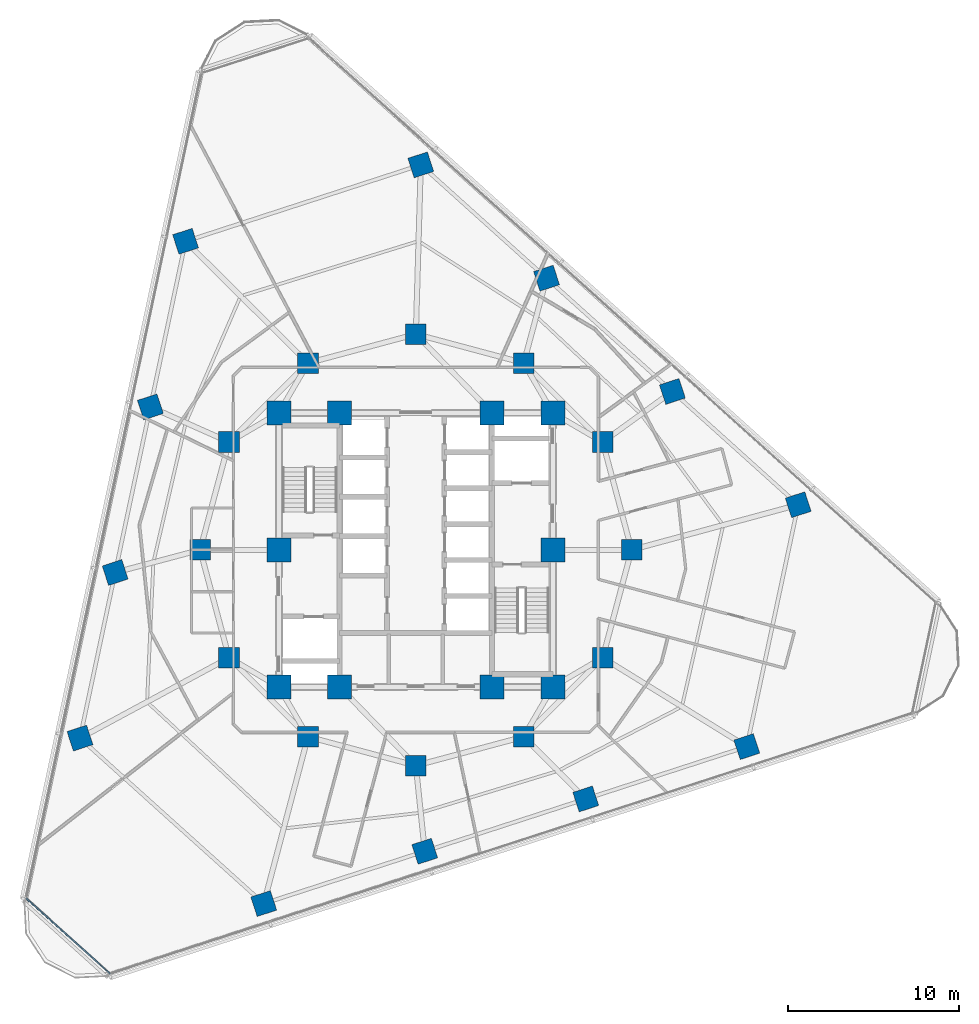
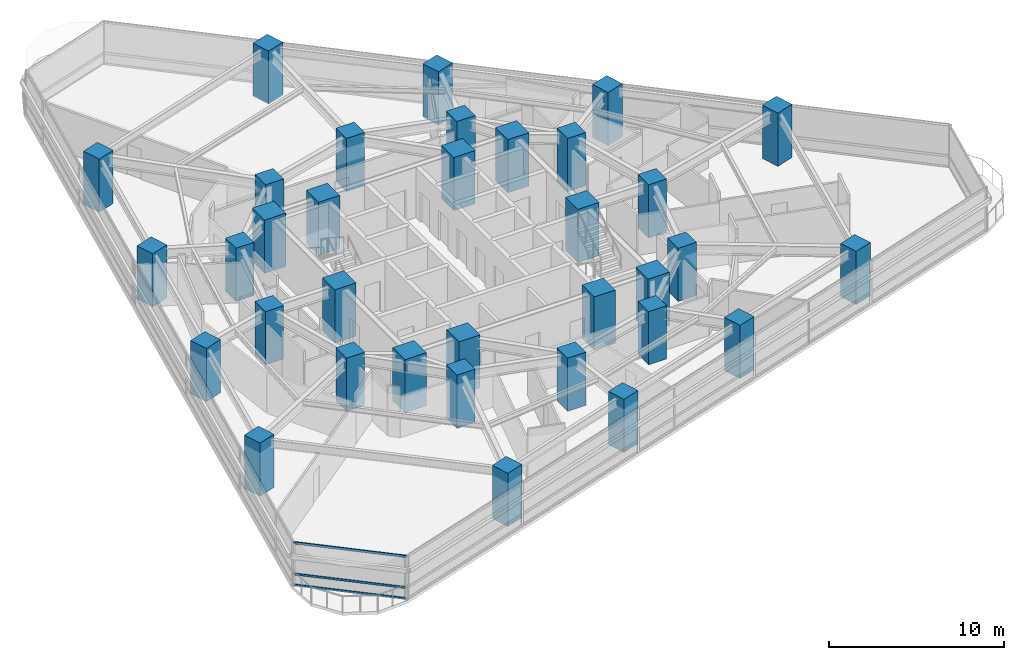
# One storey, part 1 of 13: 34 columns, 3 members, 1 element without a shape of its own.
"""IFC4 building model written with IfcOpenShell, lengths in metres."""

from ifc_helpers import new_model, si_unit, direction, frame, origin, origin_2d, place, context, subcontext, project, spatial, rectangle, extrude, material, layer, layer_set, material_profile, profile_set, type_object, element, aggregate, save


model = new_model("IFC4")

# Units and contexts
model_context = context("Model", 3, precision=1e-05, world=origin(), true_north=direction((0.0, 1.0)))
body_context = subcontext(model_context, "Body", "Model", "MODEL_VIEW")
ifc_project = project(units=[si_unit("LENGTHUNIT", "METRE"), si_unit("AREAUNIT", "SQUARE_METRE"), si_unit("VOLUMEUNIT", "CUBIC_METRE"), si_unit("PLANEANGLEUNIT", "RADIAN"), si_unit("MASSUNIT", "GRAM", prefix="KILO")], contexts=[model_context])

# Site, building, storey
site_placement = place(None, origin())
site = spatial("IfcSite", under=ifc_project, at=site_placement, CompositionType="ELEMENT")
building_placement = place(site_placement, origin())
building = spatial("IfcBuilding", under=site, at=building_placement, Name="Terralouvre Media Tower", CompositionType="ELEMENT")
storey_placement = place(building_placement, frame((0.0, 0.0, 108.800048828125)))
storey = spatial("IfcBuildingStorey", under=building, at=storey_placement, Name="L27", CompositionType="ELEMENT", Elevation=108.800048828125)

# Columns
ifc_material_1 = material(Name="Concrete C60/75", Category="concrete")
ifc_material_profile_1 = material_profile(ifc_material_1, rectangle(XDim=1.199951171875, YDim=1.199951171875, at=origin_2d()), Name="RC 1200x1200")
ifc_profile_set_1 = profile_set([ifc_material_profile_1], Name="Concrete C60/75")
column_type_1 = type_object("IfcColumnType", Name="Structural Column C-RC1200 (RC 1200x1200)", PredefinedType="COLUMN", material=ifc_profile_set_1)
for number, where, z_axis, x_axis, name in (
    (1, (12.60009765625, 0.0, 0.0), (0.0, 0.0, 1.0), (1.0, 0.0, 0.0), "L27 Mega-Frame Column MC01"),
    (2, (10.911865234375, 6.300048828125, 0.0), (0.0, 0.0, 1.0), (1.0, 0.0, 0.0), "L27 Mega-Frame Column MC02"),
    (3, (6.300048828125, 10.911865234375, 0.0), (0.0, 0.0, 1.0), (1.0, 0.0, 0.0), "L27 Mega-Frame Column MC03"),
    (4, (0.0, 12.60009765625, 0.0), (0.0, 0.0, 1.0), (1.0, 0.0, 0.0), "L27 Mega-Frame Column MC04"),
    (5, (-6.300048828125, 10.911865234375, 0.0), (0.0, 0.0, 1.0), (1.0, 0.0, 0.0), "L27 Mega-Frame Column MC05"),
    (6, (-10.911865234375, 6.300048828125, 0.0), (0.0, 0.0, 1.0), (1.0, 0.0, 0.0), "L27 Mega-Frame Column MC06"),
    (7, (-12.60009765625, 0.0, 0.0), (0.0, 0.0, 1.0), (1.0, 0.0, 0.0), "L27 Mega-Frame Column MC07"),
    (8, (-10.911865234375, -6.300048828125, 0.0), (0.0, 0.0, 1.0), (1.0, 0.0, 0.0), "L27 Mega-Frame Column MC08"),
    (9, (-6.300048828125, -10.911865234375, 0.0), (0.0, 0.0, 1.0), (1.0, 0.0, 0.0), "L27 Mega-Frame Column MC09"),
    (10, (0.0, -12.60009765625, 0.0), (0.0, 0.0, 1.0), (1.0, 0.0, 0.0), "L27 Mega-Frame Column MC10"),
    (11, (6.300048828125, -10.911865234375, 0.0), (0.0, 0.0, 1.0), (1.0, 0.0, 0.0), "L27 Mega-Frame Column MC11"),
    (12, (10.911865234375, -6.300048828125, 0.0), (0.0, 0.0, 1.0), (1.0, 0.0, 0.0), "L27 Mega-Frame Column MC12"),
    (13, (-8.883056640625, -20.658203125, 0.0), (0.0, 0.0, 1.0), (0.951056516295, 0.309016994375, 0.0), "L27 Perimeter Mega-Column PC11"),
    (14, (0.52099609375, -17.6025390625, 0.0), (0.0, 0.0, 1.0), (0.951056516295, 0.309016994375, 0.0), "L27 Perimeter Mega-Column PC12"),
    (15, (9.925048828125, -14.547119140625, 0.0), (0.0, 0.0, 1.0), (0.951056516295, 0.309016994375, 0.0), "L27 Perimeter Mega-Column PC13"),
    (16, (19.3291015625, -11.491455078125, 0.0), (0.0, 0.0, 1.0), (0.951056516295, 0.309016994375, 0.0), "L27 Perimeter Mega-Column PC14"),
    (17, (22.33203125, 2.63623046875, 0.0), (0.0, 0.0, 1.0), (0.951056516295, 0.309016994375, 0.0), "L27 Perimeter Mega-Column PC21"),
    (18, (14.98388671875, 9.25244140625, 0.0), (0.0, 0.0, 1.0), (0.951056516295, 0.309016994375, 0.0), "L27 Perimeter Mega-Column PC22"),
    (19, (7.635498046875, 15.868896484375, 0.0), (0.0, 0.0, 1.0), (0.951056516295, 0.309016994375, 0.0), "L27 Perimeter Mega-Column PC23"),
    (20, (0.287353515625, 22.4853515625, 0.0), (0.0, 0.0, 1.0), (0.951056516295, 0.309016994375, 0.0), "L27 Perimeter Mega-Column PC24"),
    (21, (-13.448974609375, 18.02197265625, 0.0), (0.0, 0.0, 1.0), (0.951056516295, 0.309016994375, 0.0), "L27 Perimeter Mega-Column PC31"),
    (22, (-15.5048828125, 8.35009765625, 0.0), (0.0, 0.0, 1.0), (0.951056516295, 0.309016994375, 0.0), "L27 Perimeter Mega-Column PC32"),
    (23, (-17.560791015625, -1.32177734375, 0.0), (0.0, 0.0, 1.0), (0.951056516295, 0.309016994375, 0.0), "L27 Perimeter Mega-Column PC33"),
    (24, (-19.616455078125, -10.99365234375, 0.0), (0.0, 0.0, 1.0), (0.951056516295, 0.309016994375, 0.0), "L27 Perimeter Mega-Column PC34"),
):
    element("IfcColumn", number, at=place(storey_placement, frame(where, z_axis=z_axis, x_axis=x_axis)), inside=storey, type_object=column_type_1, Name=name, PredefinedType="COLUMN", context=body_context, shape_type="SweptSolid", body=[
        extrude(rectangle(XDim=1.199951171875, YDim=1.199951171875, at=origin_2d()), origin(), (0.0, 0.0, 1.0), 3.699951171875),
    ])
ifc_material_2 = material(Name="Concrete C60/75", Category="concrete")
ifc_material_profile_2 = material_profile(ifc_material_2, rectangle(XDim=1.39990234375, YDim=1.39990234375, at=origin_2d()), Name="RC 1400x1400")
ifc_profile_set_2 = profile_set([ifc_material_profile_2], Name="Concrete C60/75")
column_type_2 = type_object("IfcColumnType", Name="Structural Column C-RC1400 (RC 1400x1400)", PredefinedType="COLUMN", material=ifc_profile_set_2)
for number, where, z_axis, x_axis, name in (
    (25, (-8.0, -8.0, 0.0), (0.0, 0.0, 1.0), (1.0, 0.0, 0.0), "L27 Core Pilaster Column CP1"),
    (26, (-4.449951171875, -8.0, 0.0), (0.0, 0.0, 1.0), (1.0, 0.0, 0.0), "L27 Core Pilaster Column CP2"),
    (27, (4.449951171875, -8.0, 0.0), (0.0, 0.0, 1.0), (1.0, 0.0, 0.0), "L27 Core Pilaster Column CP10"),
    (28, (8.0, -8.0, 0.0), (0.0, 0.0, 1.0), (1.0, 0.0, 0.0), "L27 Core Pilaster Column CP3"),
    (29, (8.0, 0.0, 0.0), (0.0, 0.0, 1.0), (1.0, 0.0, 0.0), "L27 Core Pilaster Column CP4"),
    (30, (8.0, 8.0, 0.0), (0.0, 0.0, 1.0), (1.0, 0.0, 0.0), "L27 Core Pilaster Column CP5"),
    (31, (4.449951171875, 8.0, 0.0), (0.0, 0.0, 1.0), (1.0, 0.0, 0.0), "L27 Core Pilaster Column CP9"),
    (32, (-4.449951171875, 8.0, 0.0), (0.0, 0.0, 1.0), (1.0, 0.0, 0.0), "L27 Core Pilaster Column CP6"),
    (33, (-8.0, 8.0, 0.0), (0.0, 0.0, 1.0), (1.0, 0.0, 0.0), "L27 Core Pilaster Column CP7"),
    (34, (-8.0, 0.0, 0.0), (0.0, 0.0, 1.0), (1.0, 0.0, 0.0), "L27 Core Pilaster Column CP8"),
):
    element("IfcColumn", number, at=place(storey_placement, frame(where, z_axis=z_axis, x_axis=x_axis)), inside=storey, type_object=column_type_2, Name=name, PredefinedType="COLUMN", context=body_context, shape_type="SweptSolid", body=[
        extrude(rectangle(XDim=1.39990234375, YDim=1.39990234375, at=origin_2d()), origin(), (0.0, 0.0, 1.0), 3.699951171875),
    ])

# Curtain wall, members
ifc_material_3 = material(Name="Low-iron laminated double glazing with solar-control coating", Category="glass")
ifc_layer = layer(ifc_material_3, 0.1650390625, Name="Rounded Wind-Corner Curved Glazing CW-04")
ifc_layer_set = layer_set([ifc_layer], Name="Low-iron laminated double glazing with solar-control coating")
curtain_wall_type = type_object("IfcCurtainWallType", Name="Rounded Wind-Corner Curved Glazing CW-04", PredefinedType="NOTDEFINED", material=ifc_layer_set)
curtain_wall_placement = place(storey_placement, origin())
curtain_wall = element("IfcCurtainWall", 35, at=curtain_wall_placement, inside=storey, type_object=curtain_wall_type, Name="L27 Rounded Wind-Corner Curtain Wall C0", PredefinedType="NOTDEFINED")
ifc_material_4 = material(Name="Anodised extruded aluminium 6063-T6", Category="aluminium")
ifc_material_profile_3 = material_profile(ifc_material_4, rectangle(XDim=0.074951171875, YDim=0.14990234375, at=origin_2d()), Name="ALU 75x150")
ifc_profile_set_3 = profile_set([ifc_material_profile_3], Name="Anodised extruded aluminium 6063-T6")
member_type = type_object("IfcMemberType", Name="Curtain-Wall Horizontal Transom TR-150", PredefinedType="USERDEFINED", material=ifc_profile_set_3)
member_1_placement = place(storey_placement, frame((-22.74560546875, -20.351806640625, 0.037353515625), z_axis=(0.743146319996, -0.669128946524, 0.0), x_axis=(0.669128946524, 0.743146319996, 0.0)))
member_1 = element("IfcMember", 36, at=member_1_placement, type_object=member_type, Name="CW-04 transom 1.1", ObjectType="TRANSOM", PredefinedType="USERDEFINED", context=body_context, shape_type="SweptSolid", body=[
    extrude(rectangle(XDim=0.074951171875, YDim=0.14990234375, at=origin_2d()), origin(), (0.0, 0.0, 1.0), 6.570556640625),
])
member_2_placement = place(storey_placement, frame((-22.74560546875, -20.351806640625, 0.800048828125), z_axis=(0.743146319996, -0.669128946524, 0.0), x_axis=(0.669128946524, 0.743146319996, 0.0)))
member_2 = element("IfcMember", 37, at=member_2_placement, type_object=member_type, Name="CW-04 transom 1.2", ObjectType="TRANSOM", PredefinedType="USERDEFINED", context=body_context, shape_type="SweptSolid", body=[
    extrude(rectangle(XDim=0.074951171875, YDim=0.14990234375, at=origin_2d()), origin(), (0.0, 0.0, 1.0), 6.570556640625),
])
member_3_placement = place(storey_placement, frame((-22.74560546875, -20.351806640625, 2.96240234375), z_axis=(0.743146319996, -0.669128946524, 0.0), x_axis=(0.669128946524, 0.743146319996, 0.0)))
member_3 = element("IfcMember", 38, at=member_3_placement, type_object=member_type, Name="CW-04 transom 1.3", ObjectType="TRANSOM", PredefinedType="USERDEFINED", context=body_context, shape_type="SweptSolid", body=[
    extrude(rectangle(XDim=0.074951171875, YDim=0.14990234375, at=origin_2d()), origin(), (0.0, 0.0, 1.0), 6.570556640625),
])
aggregate(curtain_wall, [member_1, member_2, member_3])

save(model, "model.ifc")
